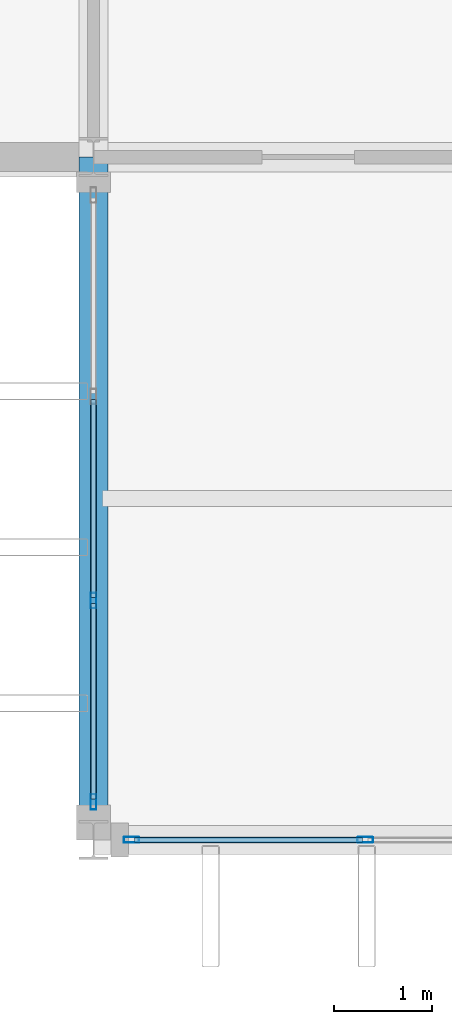
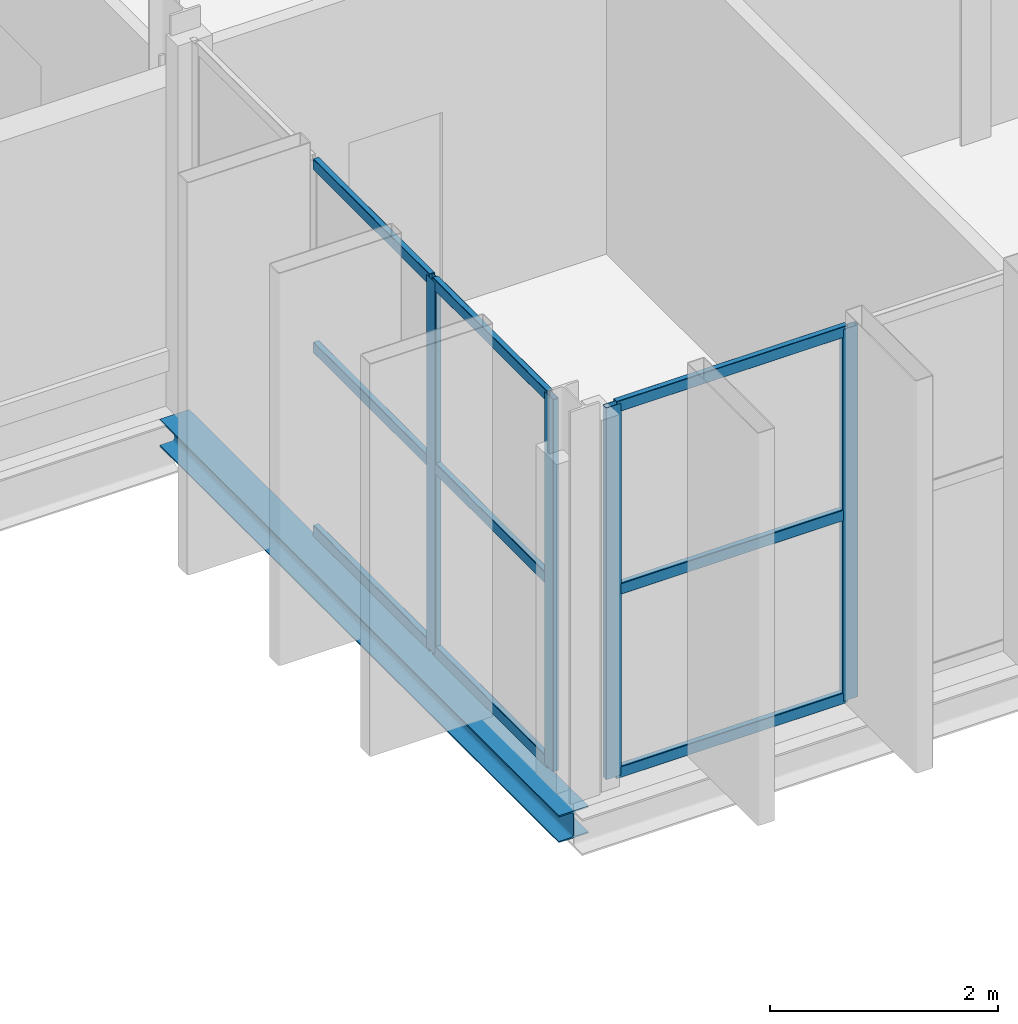
# One storey, part 18 of 101: 13 members, 1 beam, 2 elements without a shape of their own.
"""IFC4 building model written with IfcOpenShell, lengths in metres."""

from ifc_helpers import new_model, si_unit, direction, frame, origin, origin_2d, place, context, subcontext, project, spatial, hollow_rectangle, i_section, extrude, material, layer, layer_set, material_profile, profile_set, type_object, element, aggregate, save


model = new_model("IFC4")

# Units and contexts
model_context = context("Model", 3, precision=1e-05, world=origin(), true_north=direction((0.0, 1.0)))
body_context = subcontext(model_context, "Body", "Model", "MODEL_VIEW")
ifc_project = project(units=[si_unit("LENGTHUNIT", "METRE"), si_unit("AREAUNIT", "SQUARE_METRE"), si_unit("VOLUMEUNIT", "CUBIC_METRE"), si_unit("PLANEANGLEUNIT", "RADIAN"), si_unit("MASSUNIT", "GRAM", prefix="KILO")], contexts=[model_context])

# Site, building, storey
site_placement = place(None, origin())
site = spatial("IfcSite", under=ifc_project, at=site_placement, CompositionType="ELEMENT")
building_placement = place(site_placement, origin())
building = spatial("IfcBuilding", under=site, at=building_placement, Name="Vekula Escarpment Museum", CompositionType="ELEMENT")
storey_placement = place(building_placement, frame((0.0, 0.0, 18.0)))
storey = spatial("IfcBuildingStorey", under=building, at=storey_placement, Name="L04", CompositionType="ELEMENT", Elevation=18.0)

# Beam
ifc_material_1 = material(Name="Steel S355", Category="steel")
ifc_material_profile_1 = material_profile(ifc_material_1, i_section(OverallWidth=0.300048828125, OverallDepth=0.2900390625, WebThickness=0.008544921875, FlangeThickness=0.013916015625, FilletRadius=0.027099609375, at=origin_2d()), Name="HEA 300")
ifc_profile_set_1 = profile_set([ifc_material_profile_1], Name="Steel S355")
beam_type = type_object("IfcBeamType", Name="BM-SPAN-HEA300", PredefinedType="SPANDREL", material=ifc_profile_set_1)
beam_placement = place(storey_placement, frame((70.0, 45.60009765625, -0.385009765625), z_axis=(0.0, 1.0, 0.0), x_axis=(-1.0, 0.0, 0.0)))
element("IfcBeam", 1, at=beam_placement, inside=storey, type_object=beam_type, Name="Beam Y L04 1873", PredefinedType="SPANDREL", context=body_context, shape_type="SweptSolid", body=[
    extrude(i_section(OverallWidth=0.300048828125, OverallDepth=0.2900390625, WebThickness=0.008544921875, FlangeThickness=0.013916015625, FilletRadius=0.027099609375, at=origin_2d()), origin(), (0.0, 0.0, 1.0), 7.0),
])

# Curtain wall, members
ifc_material_2 = material(Name="Aluminium thermally broken framing", Category="aluminium")
ifc_layer_1 = layer(ifc_material_2, 0.159912109375)
ifc_layer_set_1 = layer_set([ifc_layer_1], Name="Aluminium thermally broken framing")
curtain_wall_type_1 = type_object("IfcCurtainWallType", Name="CW-SYS-01", PredefinedType="NOTDEFINED", material=ifc_layer_set_1)
curtain_wall_1_placement = place(storey_placement, origin())
curtain_wall_1 = element("IfcCurtainWall", 2, at=curtain_wall_1_placement, inside=storey, type_object=curtain_wall_type_1, Name="Curtain Wall CW-L04-131", PredefinedType="NOTDEFINED")
ifc_material_3 = material(Name="Aluminium anodized mullion", Category="aluminium")
ifc_material_profile_2 = material_profile(ifc_material_3, hollow_rectangle(XDim=0.06005859375, YDim=0.159912109375, WallThickness=0.00390625, InnerFilletRadius=0.00390625, OuterFilletRadius=0.008056640625, at=origin_2d()), Name="ALU 160x60x4")
ifc_profile_set_2 = profile_set([ifc_material_profile_2], Name="Aluminium anodized mullion")
member_type_1 = type_object("IfcMemberType", Name="CW-MUL-160", PredefinedType="MULLION", material=ifc_profile_set_2)
member_1_placement = place(storey_placement, frame((70.0, 48.05322265625, 0.0), z_axis=(0.0, 0.0, 1.0), x_axis=(1.0, 0.0, 0.0)))
member_1 = element("IfcMember", 3, at=member_1_placement, type_object=member_type_1, Name="CW-01 mullion 3", PredefinedType="MULLION", context=body_context, shape_type="SweptSolid", body=[
    extrude(hollow_rectangle(XDim=0.06005859375, YDim=0.159912109375, WallThickness=0.00390625, InnerFilletRadius=0.00390625, OuterFilletRadius=0.008056640625, at=origin_2d()), origin(), (0.0, 0.0, 1.0), 3.97998046875),
])
member_2_placement = place(storey_placement, frame((70.0, 45.989990234375, 0.0), z_axis=(0.0, 0.0, 1.0), x_axis=(1.0, 0.0, 0.0)))
member_2 = element("IfcMember", 4, at=member_2_placement, type_object=member_type_1, Name="CW-01 mullion 4", PredefinedType="MULLION", context=body_context, shape_type="SweptSolid", body=[
    extrude(hollow_rectangle(XDim=0.06005859375, YDim=0.159912109375, WallThickness=0.00390625, InnerFilletRadius=0.00390625, OuterFilletRadius=0.008056640625, at=origin_2d()), origin(), (0.0, 0.0, 1.0), 3.97998046875),
])

ifc_material_4 = material(Name="Aluminium thermally broken framing", Category="aluminium")
ifc_layer_2 = layer(ifc_material_4, 0.159912109375)
ifc_layer_set_2 = layer_set([ifc_layer_2], Name="Aluminium thermally broken framing")
curtain_wall_type_2 = type_object("IfcCurtainWallType", Name="CW-SYS-02", PredefinedType="NOTDEFINED", material=ifc_layer_set_2)
curtain_wall_2_placement = place(storey_placement, origin())
curtain_wall_2 = element("IfcCurtainWall", 5, at=curtain_wall_2_placement, inside=storey, type_object=curtain_wall_type_2, Name="Curtain Wall CW-L04-132", PredefinedType="NOTDEFINED")
member_3_placement = place(storey_placement, frame((70.389892578125, 45.60009765625, 0.0), z_axis=(0.0, 0.0, 1.0), x_axis=(0.0, 1.0, 0.0)))
member_3 = element("IfcMember", 6, at=member_3_placement, type_object=member_type_1, Name="CW-02 mullion 1", PredefinedType="MULLION", context=body_context, shape_type="SweptSolid", body=[
    extrude(hollow_rectangle(XDim=0.06005859375, YDim=0.159912109375, WallThickness=0.00390625, InnerFilletRadius=0.00390625, OuterFilletRadius=0.008056640625, at=origin_2d()), origin(), (0.0, 0.0, 1.0), 3.97998046875),
])
member_4_placement = place(storey_placement, frame((72.78662109375, 45.60009765625, 0.0), z_axis=(0.0, 0.0, 1.0), x_axis=(0.0, 1.0, 0.0)))
member_4 = element("IfcMember", 7, at=member_4_placement, type_object=member_type_1, Name="CW-02 mullion 2", PredefinedType="MULLION", context=body_context, shape_type="SweptSolid", body=[
    extrude(hollow_rectangle(XDim=0.06005859375, YDim=0.159912109375, WallThickness=0.00390625, InnerFilletRadius=0.00390625, OuterFilletRadius=0.008056640625, at=origin_2d()), origin(), (0.0, 0.0, 1.0), 3.97998046875),
])

# Member
ifc_material_5 = material(Name="Aluminium anodized transom", Category="aluminium")
ifc_material_profile_3 = material_profile(ifc_material_5, hollow_rectangle(XDim=0.06005859375, YDim=0.1201171875, WallThickness=0.00390625, InnerFilletRadius=0.00390625, OuterFilletRadius=0.008056640625, at=origin_2d()), Name="ALU 120x60x4")
ifc_profile_set_3 = profile_set([ifc_material_profile_3], Name="Aluminium anodized transom")
member_type_2 = type_object("IfcMemberType", Name="CW-TRN-120", PredefinedType="USERDEFINED", material=ifc_profile_set_3)
member_5_placement = place(storey_placement, frame((70.0, 50.11669921875, 0.030029296875), z_axis=(0.0, -1.0, 0.0), x_axis=(1.0, 0.0, 0.0)))
member_5 = element("IfcMember", 8, at=member_5_placement, type_object=member_type_2, Name="CW-01 transom 2.1", ObjectType="TRANSOM", PredefinedType="USERDEFINED", context=body_context, shape_type="SweptSolid", body=[
    extrude(hollow_rectangle(XDim=0.06005859375, YDim=0.1201171875, WallThickness=0.00390625, InnerFilletRadius=0.00390625, OuterFilletRadius=0.008056640625, at=origin_2d()), origin(), (0.0, 0.0, 1.0), 2.033447265625),
])

member_6_placement = place(storey_placement, frame((70.0, 50.11669921875, 1.989990234375), z_axis=(0.0, -1.0, 0.0), x_axis=(1.0, 0.0, 0.0)))
member_6 = element("IfcMember", 9, at=member_6_placement, type_object=member_type_2, Name="CW-01 transom 2.2", ObjectType="TRANSOM", PredefinedType="USERDEFINED", context=body_context, shape_type="SweptSolid", body=[
    extrude(hollow_rectangle(XDim=0.06005859375, YDim=0.1201171875, WallThickness=0.00390625, InnerFilletRadius=0.00390625, OuterFilletRadius=0.008056640625, at=origin_2d()), origin(), (0.0, 0.0, 1.0), 2.033447265625),
])

member_7_placement = place(storey_placement, frame((70.0, 50.11669921875, 3.949951171875), z_axis=(0.0, -1.0, 0.0), x_axis=(1.0, 0.0, 0.0)))
member_7 = element("IfcMember", 10, at=member_7_placement, type_object=member_type_2, Name="CW-01 transom 2.3", ObjectType="TRANSOM", PredefinedType="USERDEFINED", context=body_context, shape_type="SweptSolid", body=[
    extrude(hollow_rectangle(XDim=0.06005859375, YDim=0.1201171875, WallThickness=0.00390625, InnerFilletRadius=0.00390625, OuterFilletRadius=0.008056640625, at=origin_2d()), origin(), (0.0, 0.0, 1.0), 2.033447265625),
])

member_8_placement = place(storey_placement, frame((70.0, 48.0234375, 0.030029296875), z_axis=(0.0, -1.0, 0.0), x_axis=(1.0, 0.0, 0.0)))
member_8 = element("IfcMember", 11, at=member_8_placement, type_object=member_type_2, Name="CW-01 transom 3.1", ObjectType="TRANSOM", PredefinedType="USERDEFINED", context=body_context, shape_type="SweptSolid", body=[
    extrude(hollow_rectangle(XDim=0.06005859375, YDim=0.1201171875, WallThickness=0.00390625, InnerFilletRadius=0.00390625, OuterFilletRadius=0.008056640625, at=origin_2d()), origin(), (0.0, 0.0, 1.0), 2.00341796875),
])

member_9_placement = place(storey_placement, frame((70.0, 48.0234375, 1.989990234375), z_axis=(0.0, -1.0, 0.0), x_axis=(1.0, 0.0, 0.0)))
member_9 = element("IfcMember", 12, at=member_9_placement, type_object=member_type_2, Name="CW-01 transom 3.2", ObjectType="TRANSOM", PredefinedType="USERDEFINED", context=body_context, shape_type="SweptSolid", body=[
    extrude(hollow_rectangle(XDim=0.06005859375, YDim=0.1201171875, WallThickness=0.00390625, InnerFilletRadius=0.00390625, OuterFilletRadius=0.008056640625, at=origin_2d()), origin(), (0.0, 0.0, 1.0), 2.00341796875),
])

member_10_placement = place(storey_placement, frame((70.0, 48.0234375, 3.949951171875), z_axis=(0.0, -1.0, 0.0), x_axis=(1.0, 0.0, 0.0)))
member_10 = element("IfcMember", 13, at=member_10_placement, type_object=member_type_2, Name="CW-01 transom 3.3", ObjectType="TRANSOM", PredefinedType="USERDEFINED", context=body_context, shape_type="SweptSolid", body=[
    extrude(hollow_rectangle(XDim=0.06005859375, YDim=0.1201171875, WallThickness=0.00390625, InnerFilletRadius=0.00390625, OuterFilletRadius=0.008056640625, at=origin_2d()), origin(), (0.0, 0.0, 1.0), 2.00341796875),
])

aggregate(curtain_wall_1, [member_1, member_2, member_5, member_6, member_7, member_8, member_9, member_10])

member_11_placement = place(storey_placement, frame((70.419921875, 45.60009765625, 0.030029296875), z_axis=(1.0, 0.0, 0.0), x_axis=(0.0, 1.0, 0.0)))
member_11 = element("IfcMember", 14, at=member_11_placement, type_object=member_type_2, Name="CW-02 transom 1.1", ObjectType="TRANSOM", PredefinedType="USERDEFINED", context=body_context, shape_type="SweptSolid", body=[
    extrude(hollow_rectangle(XDim=0.06005859375, YDim=0.1201171875, WallThickness=0.00390625, InnerFilletRadius=0.00390625, OuterFilletRadius=0.008056640625, at=origin_2d()), origin(), (0.0, 0.0, 1.0), 2.336669921875),
])

member_12_placement = place(storey_placement, frame((70.419921875, 45.60009765625, 1.989990234375), z_axis=(1.0, 0.0, 0.0), x_axis=(0.0, 1.0, 0.0)))
member_12 = element("IfcMember", 15, at=member_12_placement, type_object=member_type_2, Name="CW-02 transom 1.2", ObjectType="TRANSOM", PredefinedType="USERDEFINED", context=body_context, shape_type="SweptSolid", body=[
    extrude(hollow_rectangle(XDim=0.06005859375, YDim=0.1201171875, WallThickness=0.00390625, InnerFilletRadius=0.00390625, OuterFilletRadius=0.008056640625, at=origin_2d()), origin(), (0.0, 0.0, 1.0), 2.336669921875),
])

member_13_placement = place(storey_placement, frame((70.419921875, 45.60009765625, 3.949951171875), z_axis=(1.0, 0.0, 0.0), x_axis=(0.0, 1.0, 0.0)))
member_13 = element("IfcMember", 16, at=member_13_placement, type_object=member_type_2, Name="CW-02 transom 1.3", ObjectType="TRANSOM", PredefinedType="USERDEFINED", context=body_context, shape_type="SweptSolid", body=[
    extrude(hollow_rectangle(XDim=0.06005859375, YDim=0.1201171875, WallThickness=0.00390625, InnerFilletRadius=0.00390625, OuterFilletRadius=0.008056640625, at=origin_2d()), origin(), (0.0, 0.0, 1.0), 2.336669921875),
])

aggregate(curtain_wall_2, [member_3, member_4, member_11, member_12, member_13])

save(model, "model.ifc")
